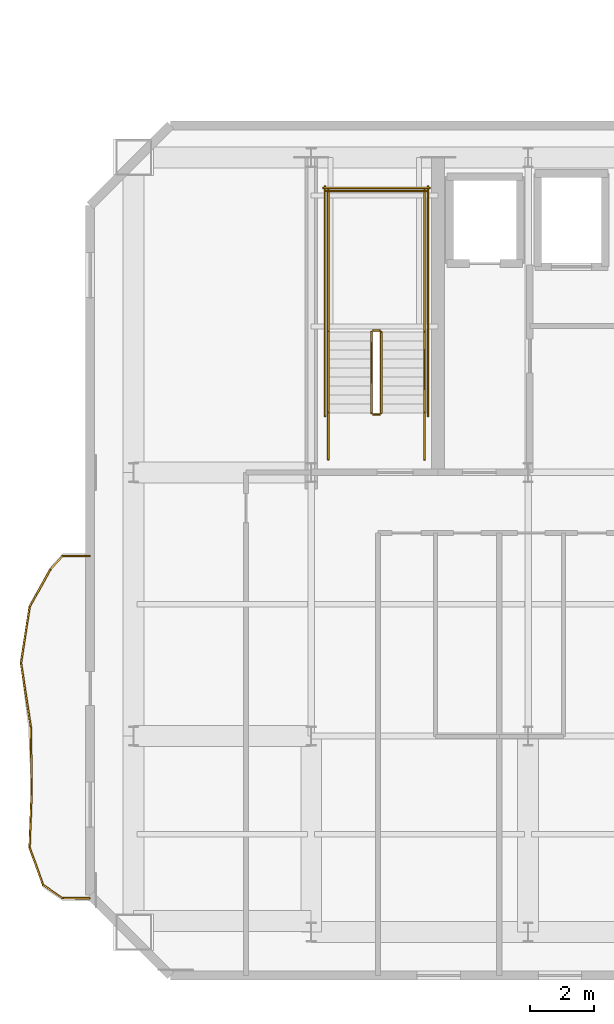
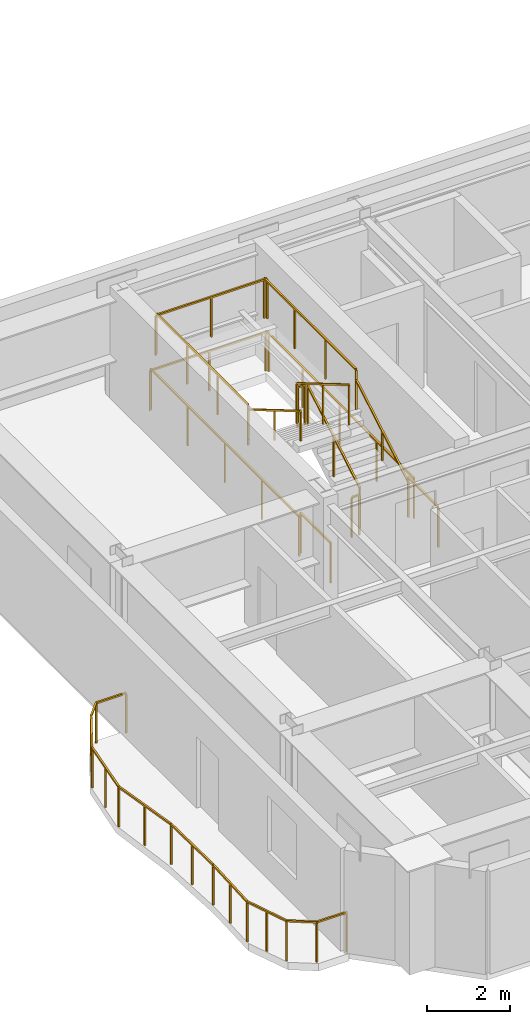
# One storey, part 13 of 16: 24 railings.
"""IFC4 building model written with IfcOpenShell, lengths in metres."""

import ifcopenshell
import ifcopenshell.guid

model = None  # the IFC model being written
_history = None  # IfcOwnerHistory: only IFC2X3 demands one
_inside = {}  # id of a spatial element -> (the spatial element, [elements in it])
_under = {}  # id of a project, library or spatial element -> (it, [spatial elements below it])
_declared = {}  # id of a project -> (the project, [libraries it declares])
_typed = {}  # id of a type object -> (the type object, [elements of that type])
_made_of = {}  # id of a material, layer set ... -> (it, [elements and type objects made of it])


def new_model(schema):
    """Start an empty IFC model of exactly this schema.

    Asked for "IFC4X3", IfcOpenShell would pick the latest addendum, in which some entities
    have other attributes; the version numbers below select the first issue.
    IFC2X3 requires an IfcOwnerHistory on every rooted entity: one is made here for all.
    """
    global model, _history
    if schema == "IFC4X3":
        model = ifcopenshell.file(schema_version=(4, 3, 0, 0))
    else:
        model = ifcopenshell.file(schema=schema)
    _inside.clear()
    _under.clear()
    _declared.clear()
    _typed.clear()
    _made_of.clear()
    _history = None
    if model.schema == "IFC2X3":
        org = make("IfcOrganization", Name="unknown")
        user = make(
            "IfcPersonAndOrganization",
            ThePerson=make("IfcPerson", FamilyName="unknown"),
            TheOrganization=org,
        )
        app = make(
            "IfcApplication",
            ApplicationDeveloper=org,
            Version="unknown",
            ApplicationFullName="unknown",
            ApplicationIdentifier="unknown",
        )
        _history = make(
            "IfcOwnerHistory",
            OwningUser=user,
            OwningApplication=app,
            ChangeAction="ADDED",
            CreationDate=0,
        )
    return model


def make(cls, **values):
    """One entity of the class cls with the attributes given. An attribute that is None is left unset."""
    return model.create_entity(
        cls, **{name: value for name, value in values.items() if value is not None}
    )


def rooted(cls, **values):
    """An entity with a GlobalId (a new one), such as an element, a storey or a relation."""
    return make(cls, GlobalId=ifcopenshell.guid.new(), OwnerHistory=_history, **values)


def si_unit(unit_type, name, prefix=None):
    """IfcSIUnit, for example si_unit("LENGTHUNIT", "METRE", prefix="MILLI")."""
    return make("IfcSIUnit", UnitType=unit_type, Prefix=prefix, Name=name)


def assignment(units):
    """IfcUnitAssignment: the units of a project."""
    return None if units is None else make("IfcUnitAssignment", Units=units)


def point(xyz):
    """IfcCartesianPoint."""
    return None if xyz is None else make("IfcCartesianPoint", Coordinates=xyz)


def direction(xyz):
    """IfcDirection."""
    return None if xyz is None else make("IfcDirection", DirectionRatios=xyz)


def frame(location, z_axis=None, x_axis=None):
    """IfcAxis2Placement3D, a coordinate frame: its origin and axes. An axis left out is left unset."""
    return make(
        "IfcAxis2Placement3D",
        Location=point(location),
        Axis=direction(z_axis),
        RefDirection=direction(x_axis),
    )


def frame_2d(location, x_axis=None):
    """IfcAxis2Placement2D, a coordinate frame in the plane: its origin and x axis."""
    return make(
        "IfcAxis2Placement2D", Location=point(location), RefDirection=direction(x_axis)
    )


def origin():
    """The frame at (0, 0, 0) with its axes left unset."""
    return frame((0.0, 0.0, 0.0))


def origin_2d():
    """The frame at (0, 0) in the plane with its x axis left unset."""
    return frame_2d((0.0, 0.0))


def place(relative_to, where):
    """IfcLocalPlacement: puts the frame where relative to a parent placement (None: the world)."""
    return make(
        "IfcLocalPlacement", PlacementRelTo=relative_to, RelativePlacement=where
    )


def context(
    kind, dimensions, precision=None, world=None, true_north=None, identifier=None
):
    """IfcGeometricRepresentationContext, for example the 3D "Model" context."""
    return make(
        "IfcGeometricRepresentationContext",
        ContextIdentifier=identifier,
        ContextType=kind,
        CoordinateSpaceDimension=dimensions,
        Precision=precision,
        WorldCoordinateSystem=world,
        TrueNorth=true_north,
    )


def subcontext(parent, identifier, kind, view, scale=None):
    """IfcGeometricRepresentationSubContext, for example "Body" below "Model"."""
    return make(
        "IfcGeometricRepresentationSubContext",
        ContextIdentifier=identifier,
        ContextType=kind,
        ParentContext=parent,
        TargetScale=scale,
        TargetView=view,
    )


def project(units=None, contexts=None):
    """IfcProject with its units and contexts."""
    return rooted(
        "IfcProject",
        Name="project",
        RepresentationContexts=contexts,
        UnitsInContext=assignment(units),
    )


def spatial(cls, under=None, at=None, **own):
    """A site, building, storey or space (cls), placed at a placement, below another one or the project."""
    s = rooted(cls, ObjectPlacement=at, **own)
    if under is not None:
        _under.setdefault(under.id(), (under, []))[1].append(s)
    return s


def profile(cls, at=None, kind="AREA", **sizes):
    """A parametric profile (cls). Its sizes go by their IFC names, for example OverallWidth=200.0."""
    return make(cls, ProfileType=kind, Position=at, **sizes)


def rectangle(**sizes):
    """IfcRectangleProfileDef."""
    return profile("IfcRectangleProfileDef", **sizes)


def extrude(swept, where, along, depth):
    """IfcExtrudedAreaSolid: the profile swept, set in the frame where, extruded along a direction by depth."""
    return make(
        "IfcExtrudedAreaSolid",
        SweptArea=swept,
        Position=where,
        ExtrudedDirection=direction(along),
        Depth=depth,
    )


def shape(context_of_items, identifier, shape_type, items):
    """IfcShapeRepresentation: the items that make up one representation, for example the "Body"."""
    return make(
        "IfcShapeRepresentation",
        ContextOfItems=context_of_items,
        RepresentationIdentifier=identifier,
        RepresentationType=shape_type,
        Items=items,
    )


def material(Name=None, Category=None):
    """IfcMaterial."""
    return make("IfcMaterial", Name=Name, Category=Category)


def made_of(thing, what):
    """Note that an element or type object is made of a material, layer set ...; save() writes the relation."""
    if what is not None:
        _made_of.setdefault(what.id(), (what, []))[1].append(thing)
    return thing


def type_object(cls, material=None, **own):
    """A type object (cls), such as IfcWallType, which elements share."""
    return made_of(rooted(cls, **own), material)


def element(
    cls,
    number,
    at=None,
    inside=None,
    cuts=None,
    type_object=None,
    material=None,
    context=None,
    identifier="Body",
    shape_type=None,
    held_by="IfcProductDefinitionShape",
    body=None,
    shapes=None,
    **own,
):
    """One element of the class cls, such as IfcWall. Its Tag is "e" and its number.

    at: its placement. inside: the storey or other place that contains it. cuts: it is an
    opening in that element (IfcRelVoidsElement). A single representation is given by context,
    identifier, shape_type and body (its items); several are given by shapes. held_by: the class
    of the entity that holds the representations. save() writes the other relations.
    """
    e = rooted(cls, Tag="e%d" % number, ObjectPlacement=at, **own)
    if body is not None:
        shapes = [shape(context, identifier, shape_type, body)]
    if shapes is not None:
        e.Representation = make(held_by, Representations=shapes)
    if inside is not None:
        _inside.setdefault(inside.id(), (inside, []))[1].append(e)
    if cuts is not None:
        rooted(
            "IfcRelVoidsElement", RelatingBuildingElement=cuts, RelatedOpeningElement=e
        )
    if type_object is not None:
        _typed.setdefault(type_object.id(), (type_object, []))[1].append(e)
    return made_of(e, material)


def aggregate(whole, parts):
    """IfcRelAggregates: a whole, such as a stair, and the parts it consists of."""
    return rooted("IfcRelAggregates", RelatingObject=whole, RelatedObjects=parts)


def save(model, path):
    """Write the relations noted so far, then the file.

    IfcRelAggregates (storeys below a building ...), IfcRelContainedInSpatialStructure (elements
    in a storey), IfcRelDefinesByType, IfcRelAssociatesMaterial and IfcRelDeclares: one each for
    every whole, place, type object, material and project.
    """
    for whole, parts in _under.values():
        aggregate(whole, parts)
    for where, things in _inside.values():
        rooted(
            "IfcRelContainedInSpatialStructure",
            RelatedElements=things,
            RelatingStructure=where,
        )
    for kind, things in _typed.values():
        rooted("IfcRelDefinesByType", RelatedObjects=things, RelatingType=kind)
    for what, things in _made_of.values():
        rooted("IfcRelAssociatesMaterial", RelatedObjects=things, RelatingMaterial=what)
    for by, libraries in _declared.values():
        rooted("IfcRelDeclares", RelatingContext=by, RelatedDefinitions=libraries)
    model.write(path)


model = new_model("IFC4")

# Units and contexts
model_context = context("Model", 3, precision=1e-05, world=origin(), true_north=direction((0.0, 1.0)))
body_context = subcontext(model_context, "Body", "Model", "MODEL_VIEW")
ifc_project = project(units=[si_unit("LENGTHUNIT", "METRE"), si_unit("AREAUNIT", "SQUARE_METRE"), si_unit("VOLUMEUNIT", "CUBIC_METRE"), si_unit("PLANEANGLEUNIT", "RADIAN"), si_unit("MASSUNIT", "GRAM", prefix="KILO")], contexts=[model_context])

# Site, building, storey
site_placement = place(None, origin())
site = spatial("IfcSite", under=ifc_project, at=site_placement, CompositionType="ELEMENT")
building_placement = place(site_placement, origin())
building = spatial("IfcBuilding", under=site, at=building_placement, Name="Haevon Station Towers", CompositionType="ELEMENT")
storey_placement = place(building_placement, frame((0.0, 0.0, 215.39990234375)))
storey = spatial("IfcBuildingStorey", under=building, at=storey_placement, Name="L59", CompositionType="ELEMENT", Elevation=215.39990234375)

# Railings
ifc_material = material(Name="Steel S355", Category="steel")
railing_type_1 = type_object("IfcRailingType", Name="GRD-EXT1200", PredefinedType="GUARDRAIL", material=ifc_material)
railing_1_placement = place(storey_placement, frame((17.1015625, 35.59716796875, 0.0)))
element("IfcRailing", 1, at=railing_1_placement, inside=storey, type_object=railing_type_1, Name="L59 Perimeter Guardrail 1", PredefinedType="GUARDRAIL", context=body_context, shape_type="SweptSolid", body=[
    extrude(rectangle(XDim=0.048095703125, YDim=0.048095703125, at=origin_2d()), frame((0.0, 0.0, 1.17578125), z_axis=(-0.999997283225, -0.002330995998, 0.0), x_axis=(0.002330995998, -0.999997283225, 0.0)), (0.0, 0.0, 1.0), 0.837890625),
    extrude(rectangle(XDim=0.0419921875, YDim=0.0419921875, at=origin_2d()), origin(), (0.0, 0.0, 1.0), 1.15185546875),
    extrude(rectangle(XDim=0.0419921875, YDim=0.0419921875, at=origin_2d()), frame((-0.837890625, -0.001953125, 0.0)), (0.0, 0.0, 1.0), 1.15185546875),
])
railing_2_placement = place(storey_placement, frame((16.263671875, 35.59521484375, 0.0)))
element("IfcRailing", 2, at=railing_2_placement, inside=storey, type_object=railing_type_1, Name="L59 Perimeter Guardrail 2", PredefinedType="GUARDRAIL", context=body_context, shape_type="SweptSolid", body=[
    extrude(rectangle(XDim=0.048095703125, YDim=0.048095703125, at=origin_2d()), frame((0.0, 0.0, 1.17578125), z_axis=(-0.676061194254, -0.736845480154, 0.0), x_axis=(0.736845480154, -0.676061194254, 0.0)), (0.0, 0.0, 1.0), 0.558349609375),
    extrude(rectangle(XDim=0.0419921875, YDim=0.0419921875, at=origin_2d()), origin(), (0.0, 0.0, 1.0), 1.15185546875),
    extrude(rectangle(XDim=0.0419921875, YDim=0.0419921875, at=origin_2d()), frame((-0.37744140625, -0.411376953125, 0.0)), (0.0, 0.0, 1.0), 1.15185546875),
])
railing_3_placement = place(storey_placement, frame((15.88623046875, 35.183837890625, 0.0)))
element("IfcRailing", 3, at=railing_3_placement, inside=storey, type_object=railing_type_1, Name="L59 Perimeter Guardrail 3", PredefinedType="GUARDRAIL", context=body_context, shape_type="SweptSolid", body=[
    extrude(rectangle(XDim=0.048095703125, YDim=0.048095703125, at=origin_2d()), frame((0.0, 0.0, 1.17578125), z_axis=(-0.483391346745, -0.875404367074, 0.0), x_axis=(0.875404367074, -0.483391346745, 0.0)), (0.0, 0.0, 1.0), 1.3359375),
    extrude(rectangle(XDim=0.0419921875, YDim=0.0419921875, at=origin_2d()), origin(), (0.0, 0.0, 1.0), 1.15185546875),
    extrude(rectangle(XDim=0.0419921875, YDim=0.0419921875, at=origin_2d()), frame((-0.32275390625, -0.584716796875, 0.0)), (0.0, 0.0, 1.0), 1.15185546875),
    extrude(rectangle(XDim=0.0419921875, YDim=0.0419921875, at=origin_2d()), frame((-0.645751953125, -1.16943359375, 0.0)), (0.0, 0.0, 1.0), 1.15185546875),
])
railing_4_placement = place(storey_placement, frame((15.240478515625, 34.014404296875, 0.0)))
element("IfcRailing", 4, at=railing_4_placement, inside=storey, type_object=railing_type_1, Name="L59 Perimeter Guardrail 4", PredefinedType="GUARDRAIL", context=body_context, shape_type="SweptSolid", body=[
    extrude(rectangle(XDim=0.048095703125, YDim=0.048095703125, at=origin_2d()), frame((0.0, 0.0, 1.17578125), z_axis=(-0.151454876704, -0.988464172503, 0.0), x_axis=(0.988464172503, -0.151454876704, 0.0)), (0.0, 0.0, 1.0), 1.7666015625),
    extrude(rectangle(XDim=0.0419921875, YDim=0.0419921875, at=origin_2d()), origin(), (0.0, 0.0, 1.0), 1.15185546875),
    extrude(rectangle(XDim=0.0419921875, YDim=0.0419921875, at=origin_2d()), frame((-0.1337890625, -0.873046875, 0.0)), (0.0, 0.0, 1.0), 1.15185546875),
    extrude(rectangle(XDim=0.0419921875, YDim=0.0419921875, at=origin_2d()), frame((-0.267578125, -1.746337890625, 0.0)), (0.0, 0.0, 1.0), 1.15185546875),
])
railing_5_placement = place(storey_placement, frame((14.972900390625, 32.26806640625, 0.0)))
element("IfcRailing", 5, at=railing_5_placement, inside=storey, type_object=railing_type_1, Name="L59 Perimeter Guardrail 5", PredefinedType="GUARDRAIL", context=body_context, shape_type="SweptSolid", body=[
    extrude(rectangle(XDim=0.048095703125, YDim=0.048095703125, at=origin_2d()), frame((0.0, 0.0, 1.17578125), z_axis=(0.152057184254, -0.988371697651, 0.0), x_axis=(0.988371697651, 0.152057184254, 0.0)), (0.0, 0.0, 1.0), 2.0166015625),
    extrude(rectangle(XDim=0.0419921875, YDim=0.0419921875, at=origin_2d()), origin(), (0.0, 0.0, 1.0), 1.15185546875),
    extrude(rectangle(XDim=0.0419921875, YDim=0.0419921875, at=origin_2d()), frame((0.1533203125, -0.99658203125, 0.0)), (0.0, 0.0, 1.0), 1.15185546875),
    extrude(rectangle(XDim=0.0419921875, YDim=0.0419921875, at=origin_2d()), frame((0.306640625, -1.9931640625, 0.0)), (0.0, 0.0, 1.0), 1.15185546875),
])
railing_6_placement = place(storey_placement, frame((15.279541015625, 30.27490234375, 0.0)))
element("IfcRailing", 6, at=railing_6_placement, inside=storey, type_object=railing_type_1, Name="L59 Perimeter Guardrail 6", PredefinedType="GUARDRAIL", context=body_context, shape_type="SweptSolid", body=[
    extrude(rectangle(XDim=0.048095703125, YDim=0.048095703125, at=origin_2d()), frame((0.0, 0.0, 1.17578125), z_axis=(0.012764395152, -0.99991853179, 0.0), x_axis=(0.99991853179, 0.012764395152, 0.0)), (0.0, 0.0, 1.0), 1.9892578125),
    extrude(rectangle(XDim=0.0419921875, YDim=0.0419921875, at=origin_2d()), origin(), (0.0, 0.0, 1.0), 1.15185546875),
    extrude(rectangle(XDim=0.0419921875, YDim=0.0419921875, at=origin_2d()), frame((0.0126953125, -0.99462890625, 0.0)), (0.0, 0.0, 1.0), 1.15185546875),
    extrude(rectangle(XDim=0.0419921875, YDim=0.0419921875, at=origin_2d()), frame((0.025390625, -1.989013671875, 0.0)), (0.0, 0.0, 1.0), 1.15185546875),
])
railing_7_placement = place(storey_placement, frame((15.304931640625, 28.285888671875, 0.0)))
element("IfcRailing", 7, at=railing_7_placement, inside=storey, type_object=railing_type_1, Name="L59 Perimeter Guardrail 7", PredefinedType="GUARDRAIL", context=body_context, shape_type="SweptSolid", body=[
    extrude(rectangle(XDim=0.048095703125, YDim=0.048095703125, at=origin_2d()), frame((0.0, 0.0, 1.17578125), z_axis=(-0.036800275781, -0.999322640443, 0.0), x_axis=(0.999322640443, -0.036800275781, 0.0)), (0.0, 0.0, 1.0), 1.75146484375),
    extrude(rectangle(XDim=0.0419921875, YDim=0.0419921875, at=origin_2d()), origin(), (0.0, 0.0, 1.0), 1.15185546875),
    extrude(rectangle(XDim=0.0419921875, YDim=0.0419921875, at=origin_2d()), frame((-0.0322265625, -0.875, 0.0)), (0.0, 0.0, 1.0), 1.15185546875),
    extrude(rectangle(XDim=0.0419921875, YDim=0.0419921875, at=origin_2d()), frame((-0.064453125, -1.750244140625, 0.0)), (0.0, 0.0, 1.0), 1.15185546875),
])
railing_8_placement = place(storey_placement, frame((15.240478515625, 26.53564453125, 0.0)))
element("IfcRailing", 8, at=railing_8_placement, inside=storey, type_object=railing_type_1, Name="L59 Perimeter Guardrail 8", PredefinedType="GUARDRAIL", context=body_context, shape_type="SweptSolid", body=[
    extrude(rectangle(XDim=0.048095703125, YDim=0.048095703125, at=origin_2d()), frame((0.0, 0.0, 1.17578125), z_axis=(0.337369310721, -0.941372374878, 0.0), x_axis=(0.941372374878, 0.337369310721, 0.0)), (0.0, 0.0, 1.0), 1.242431640625),
    extrude(rectangle(XDim=0.0419921875, YDim=0.0419921875, at=origin_2d()), origin(), (0.0, 0.0, 1.0), 1.15185546875),
    extrude(rectangle(XDim=0.0419921875, YDim=0.0419921875, at=origin_2d()), frame((0.20947265625, -0.5849609375, 0.0)), (0.0, 0.0, 1.0), 1.15185546875),
    extrude(rectangle(XDim=0.0419921875, YDim=0.0419921875, at=origin_2d()), frame((0.419189453125, -1.169677734375, 0.0)), (0.0, 0.0, 1.0), 1.15185546875),
])
railing_9_placement = place(storey_placement, frame((15.65966796875, 25.365966796875, 0.0)))
element("IfcRailing", 9, at=railing_9_placement, inside=storey, type_object=railing_type_1, Name="L59 Perimeter Guardrail 9", PredefinedType="GUARDRAIL", context=body_context, shape_type="SweptSolid", body=[
    extrude(rectangle(XDim=0.048095703125, YDim=0.048095703125, at=origin_2d()), frame((0.0, 0.0, 1.17578125), z_axis=(0.826665387993, -0.562693821091, 0.0), x_axis=(0.562693821091, 0.826665387993, 0.0)), (0.0, 0.0, 1.0), 0.730712890625),
    extrude(rectangle(XDim=0.0419921875, YDim=0.0419921875, at=origin_2d()), origin(), (0.0, 0.0, 1.0), 1.15185546875),
    extrude(rectangle(XDim=0.0419921875, YDim=0.0419921875, at=origin_2d()), frame((0.60400390625, -0.4111328125, 0.0)), (0.0, 0.0, 1.0), 1.15185546875),
])
railing_10_placement = place(storey_placement, frame((16.263671875, 24.954833984375, 0.0)))
element("IfcRailing", 10, at=railing_10_placement, inside=storey, type_object=railing_type_1, Name="L59 Perimeter Guardrail 10", PredefinedType="GUARDRAIL", context=body_context, shape_type="SweptSolid", body=[
    extrude(rectangle(XDim=0.048095703125, YDim=0.048095703125, at=origin_2d()), frame((0.0, 0.0, 1.17578125), z_axis=(0.999997283225, -0.002330995998, 0.0), x_axis=(0.002330995998, 0.999997283225, 0.0)), (0.0, 0.0, 1.0), 0.837890625),
    extrude(rectangle(XDim=0.0419921875, YDim=0.0419921875, at=origin_2d()), origin(), (0.0, 0.0, 1.0), 1.15185546875),
    extrude(rectangle(XDim=0.0419921875, YDim=0.0419921875, at=origin_2d()), frame((0.837890625, -0.001953125, 0.0)), (0.0, 0.0, 1.0), 1.15185546875),
])
railing_type_2 = type_object("IfcRailingType", Name="GRD-STR1200", PredefinedType="GUARDRAIL", material=ifc_material)
railing_11_placement = place(storey_placement, frame((26.179931640625, 40.050048828125, 0.1650390625)))
element("IfcRailing", 11, at=railing_11_placement, inside=storey, type_object=railing_type_2, Name="L59 ST1 Stair Guard 1", PredefinedType="GUARDRAIL", context=body_context, shape_type="SweptSolid", body=[
    extrude(rectangle(XDim=0.048095703125, YDim=0.048095703125, at=origin_2d()), frame((0.0, 0.0, 1.17578125), z_axis=(0.0, 0.86152411907, 0.507716645641), x_axis=(-1.0, 0.0, 0.0)), (0.0, 0.0, 1.0), 2.925048828125),
    extrude(rectangle(XDim=0.0419921875, YDim=0.0419921875, at=origin_2d()), origin(), (0.0, 0.0, 1.0), 1.15185546875),
    extrude(rectangle(XDim=0.0419921875, YDim=0.0419921875, at=origin_2d()), frame((0.0, 1.260009765625, 0.74267578125)), (0.0, 0.0, 1.0), 1.15185546875),
    extrude(rectangle(XDim=0.0419921875, YDim=0.0419921875, at=origin_2d()), frame((0.0, 2.52001953125, 1.485107421875)), (0.0, 0.0, 1.0), 1.15185546875),
])
railing_12_placement = place(storey_placement, frame((26.1298828125, 42.6201171875, 1.650146484375)))
element("IfcRailing", 12, at=railing_12_placement, inside=storey, type_object=railing_type_2, Name="L59 ST1 Stair Guard 2", PredefinedType="GUARDRAIL", context=body_context, shape_type="SweptSolid", body=[
    extrude(rectangle(XDim=0.048095703125, YDim=0.048095703125, at=origin_2d()), frame((0.0, 0.0, 1.17578125), z_axis=(-1.0, 0.0, 0.0), x_axis=(0.0, -1.0, 0.0)), (0.0, 0.0, 1.0), 0.199951171875),
    extrude(rectangle(XDim=0.0419921875, YDim=0.0419921875, at=origin_2d()), origin(), (0.0, 0.0, 1.0), 1.15185546875),
    extrude(rectangle(XDim=0.0419921875, YDim=0.0419921875, at=origin_2d()), frame((-0.199951171875, 0.0, 0.0)), (0.0, 0.0, 1.0), 1.15185546875),
])
for number, where, name in (
    (13, (27.530029296875, 42.570068359375, 1.650146484375), "L59 ST1 Stair Guard 3"),
    (14, (24.530029296875, 42.570068359375, 1.650146484375), "L59 ST1 Stair Guard 4"),
):
    element("IfcRailing", number, at=place(storey_placement, frame(where)), inside=storey, type_object=railing_type_2, Name=name, PredefinedType="GUARDRAIL", context=body_context, shape_type="SweptSolid", body=[
        extrude(rectangle(XDim=0.048095703125, YDim=0.048095703125, at=origin_2d()), frame((0.0, 0.0, 1.17578125), z_axis=(0.0, 1.0, 0.0), x_axis=(-1.0, 0.0, 0.0)), (0.0, 0.0, 1.0), 4.429931640625),
        extrude(rectangle(XDim=0.0419921875, YDim=0.0419921875, at=origin_2d()), origin(), (0.0, 0.0, 1.0), 1.15185546875),
        extrude(rectangle(XDim=0.0419921875, YDim=0.0419921875, at=origin_2d()), frame((0.0, 1.4765625, 0.0)), (0.0, 0.0, 1.0), 1.15185546875),
        extrude(rectangle(XDim=0.0419921875, YDim=0.0419921875, at=origin_2d()), frame((0.0, 2.953369140625, 0.0)), (0.0, 0.0, 1.0), 1.15185546875),
        extrude(rectangle(XDim=0.0419921875, YDim=0.0419921875, at=origin_2d()), frame((0.0, 4.429931640625, 0.0)), (0.0, 0.0, 1.0), 1.15185546875),
    ])
railing_13_placement = place(storey_placement, frame((27.580078125, 46.949951171875, 1.650146484375)))
element("IfcRailing", 15, at=railing_13_placement, inside=storey, type_object=railing_type_2, Name="L59 ST1 Stair Guard 5", PredefinedType="GUARDRAIL", context=body_context, shape_type="SweptSolid", body=[
    extrude(rectangle(XDim=0.048095703125, YDim=0.048095703125, at=origin_2d()), frame((0.0, 0.0, 1.17578125), z_axis=(-1.0, 0.0, 0.0), x_axis=(0.0, -1.0, 0.0)), (0.0, 0.0, 1.0), 3.10009765625),
    extrude(rectangle(XDim=0.0419921875, YDim=0.0419921875, at=origin_2d()), origin(), (0.0, 0.0, 1.0), 1.15185546875),
    extrude(rectangle(XDim=0.0419921875, YDim=0.0419921875, at=origin_2d()), frame((-1.550048828125, 0.0, 0.0)), (0.0, 0.0, 1.0), 1.15185546875),
    extrude(rectangle(XDim=0.0419921875, YDim=0.0419921875, at=origin_2d()), frame((-3.10009765625, 0.0, 0.0)), (0.0, 0.0, 1.0), 1.15185546875),
])
railing_14_placement = place(storey_placement, frame((25.8798828125, 42.570068359375, 1.815185546875)))
element("IfcRailing", 16, at=railing_14_placement, inside=storey, type_object=railing_type_2, Name="L59 ST1 Stair Guard 6", PredefinedType="GUARDRAIL", context=body_context, shape_type="SweptSolid", body=[
    extrude(rectangle(XDim=0.048095703125, YDim=0.048095703125, at=origin_2d()), frame((0.0, 0.0, 1.17578125), z_axis=(0.0, -0.861560626758, 0.507654692109), x_axis=(1.0, 0.0, 0.0)), (0.0, 0.0, 1.0), 2.925048828125),
    extrude(rectangle(XDim=0.0419921875, YDim=0.0419921875, at=origin_2d()), origin(), (0.0, 0.0, 1.0), 1.15185546875),
    extrude(rectangle(XDim=0.0419921875, YDim=0.0419921875, at=origin_2d()), frame((0.0, -1.260009765625, 0.742431640625)), (0.0, 0.0, 1.0), 1.15185546875),
    extrude(rectangle(XDim=0.0419921875, YDim=0.0419921875, at=origin_2d()), frame((0.0, -2.52001953125, 1.48486328125)), (0.0, 0.0, 1.0), 1.15185546875),
])
railing_15_placement = place(storey_placement, frame((26.1298828125, 40.0, 0.0)))
element("IfcRailing", 17, at=railing_15_placement, inside=storey, type_object=railing_type_2, Name="L59 ST1 Stair Guard 7", PredefinedType="GUARDRAIL", context=body_context, shape_type="SweptSolid", body=[
    extrude(rectangle(XDim=0.048095703125, YDim=0.048095703125, at=origin_2d()), frame((0.0, 0.0, 1.17578125), z_axis=(-1.0, 0.0, 0.0), x_axis=(0.0, -1.0, 0.0)), (0.0, 0.0, 1.0), 0.199951171875),
    extrude(rectangle(XDim=0.0419921875, YDim=0.0419921875, at=origin_2d()), origin(), (0.0, 0.0, 1.0), 1.15185546875),
    extrude(rectangle(XDim=0.0419921875, YDim=0.0419921875, at=origin_2d()), frame((-0.199951171875, 0.0, 0.0)), (0.0, 0.0, 1.0), 1.15185546875),
])
for number, where, name in (
    (18, (27.530029296875, 38.60009765625, 0.0), "L59 ST1 Stair Guard 8"),
    (19, (24.530029296875, 38.60009765625, 0.0), "L59 ST1 Stair Guard 9"),
):
    element("IfcRailing", number, at=place(storey_placement, frame(where)), inside=storey, type_object=railing_type_2, Name=name, PredefinedType="GUARDRAIL", context=body_context, shape_type="SweptSolid", body=[
        extrude(rectangle(XDim=0.048095703125, YDim=0.048095703125, at=origin_2d()), frame((0.0, 0.0, 1.17578125), z_axis=(0.0, 1.0, 0.0), x_axis=(-1.0, 0.0, 0.0)), (0.0, 0.0, 1.0), 1.449951171875),
        extrude(rectangle(XDim=0.0419921875, YDim=0.0419921875, at=origin_2d()), origin(), (0.0, 0.0, 1.0), 1.15185546875),
        extrude(rectangle(XDim=0.0419921875, YDim=0.0419921875, at=origin_2d()), frame((0.0, 1.449951171875, 0.0)), (0.0, 0.0, 1.0), 1.15185546875),
    ])
for number, where, name in (
    (20, (27.6298828125, 39.949951171875, 0.0), "L59 ST1 Stair Guard 10"),
    (21, (24.429931640625, 39.949951171875, 0.0), "L59 ST1 Stair Guard 11"),
):
    element("IfcRailing", number, at=place(storey_placement, frame(where)), inside=storey, type_object=railing_type_2, Name=name, PredefinedType="GUARDRAIL", context=body_context, shape_type="SweptSolid", body=[
        extrude(rectangle(XDim=0.048095703125, YDim=0.048095703125, at=origin_2d()), frame((0.0, 0.0, 1.17578125), z_axis=(0.0, 1.0, 0.0), x_axis=(-1.0, 0.0, 0.0)), (0.0, 0.0, 1.0), 7.150146484375),
        extrude(rectangle(XDim=0.0419921875, YDim=0.0419921875, at=origin_2d()), origin(), (0.0, 0.0, 1.0), 1.15185546875),
        extrude(rectangle(XDim=0.0419921875, YDim=0.0419921875, at=origin_2d()), frame((0.0, 1.78759765625, 0.0)), (0.0, 0.0, 1.0), 1.15185546875),
        extrude(rectangle(XDim=0.0419921875, YDim=0.0419921875, at=origin_2d()), frame((0.0, 3.5751953125, 0.0)), (0.0, 0.0, 1.0), 1.15185546875),
        extrude(rectangle(XDim=0.0419921875, YDim=0.0419921875, at=origin_2d()), frame((0.0, 5.362548828125, 0.0)), (0.0, 0.0, 1.0), 1.15185546875),
        extrude(rectangle(XDim=0.0419921875, YDim=0.0419921875, at=origin_2d()), frame((0.0, 7.150146484375, 0.0)), (0.0, 0.0, 1.0), 1.15185546875),
    ])
railing_16_placement = place(storey_placement, frame((27.679931640625, 47.050048828125, 0.0)))
element("IfcRailing", 22, at=railing_16_placement, inside=storey, type_object=railing_type_2, Name="L59 ST1 Stair Guard 12", PredefinedType="GUARDRAIL", context=body_context, shape_type="SweptSolid", body=[
    extrude(rectangle(XDim=0.048095703125, YDim=0.048095703125, at=origin_2d()), frame((0.0, 0.0, 1.17578125), z_axis=(-1.0, 0.0, 0.0), x_axis=(0.0, -1.0, 0.0)), (0.0, 0.0, 1.0), 3.300048828125),
    extrude(rectangle(XDim=0.0419921875, YDim=0.0419921875, at=origin_2d()), origin(), (0.0, 0.0, 1.0), 1.15185546875),
    extrude(rectangle(XDim=0.0419921875, YDim=0.0419921875, at=origin_2d()), frame((-1.64990234375, 0.0, 0.0)), (0.0, 0.0, 1.0), 1.15185546875),
    extrude(rectangle(XDim=0.0419921875, YDim=0.0419921875, at=origin_2d()), frame((-3.300048828125, 0.0, 0.0)), (0.0, 0.0, 1.0), 1.15185546875),
])
railing_type_3 = type_object("IfcRailingType", Name="HND-STR900", PredefinedType="HANDRAIL", material=ifc_material)
railing_17_placement = place(storey_placement, frame((27.530029296875, 40.050048828125, 0.1650390625)))
element("IfcRailing", 23, at=railing_17_placement, inside=storey, type_object=railing_type_3, Name="L59 ST1 Stair Handrail 1", PredefinedType="HANDRAIL", context=body_context, shape_type="SweptSolid", body=[
    extrude(rectangle(XDim=0.048095703125, YDim=0.048095703125, at=origin_2d()), frame((0.0, 0.0, 0.8759765625), z_axis=(0.0, 0.86152411907, 0.507716645641), x_axis=(-1.0, 0.0, 0.0)), (0.0, 0.0, 1.0), 2.925048828125),
    extrude(rectangle(XDim=0.0419921875, YDim=0.0419921875, at=origin_2d()), origin(), (0.0, 0.0, 1.0), 0.851806640625),
    extrude(rectangle(XDim=0.0419921875, YDim=0.0419921875, at=origin_2d()), frame((0.0, 1.260009765625, 0.74267578125)), (0.0, 0.0, 1.0), 0.851806640625),
    extrude(rectangle(XDim=0.0419921875, YDim=0.0419921875, at=origin_2d()), frame((0.0, 2.52001953125, 1.485107421875)), (0.0, 0.0, 1.0), 0.851806640625),
])
railing_18_placement = place(storey_placement, frame((24.530029296875, 42.570068359375, 1.815185546875)))
element("IfcRailing", 24, at=railing_18_placement, inside=storey, type_object=railing_type_3, Name="L59 ST1 Stair Handrail 2", PredefinedType="HANDRAIL", context=body_context, shape_type="SweptSolid", body=[
    extrude(rectangle(XDim=0.048095703125, YDim=0.048095703125, at=origin_2d()), frame((0.0, 0.0, 0.8759765625), z_axis=(0.0, -0.861560626758, 0.507654692109), x_axis=(1.0, 0.0, 0.0)), (0.0, 0.0, 1.0), 2.925048828125),
    extrude(rectangle(XDim=0.0419921875, YDim=0.0419921875, at=origin_2d()), origin(), (0.0, 0.0, 1.0), 0.851806640625),
    extrude(rectangle(XDim=0.0419921875, YDim=0.0419921875, at=origin_2d()), frame((0.0, -1.260009765625, 0.742431640625)), (0.0, 0.0, 1.0), 0.851806640625),
    extrude(rectangle(XDim=0.0419921875, YDim=0.0419921875, at=origin_2d()), frame((0.0, -2.52001953125, 1.48486328125)), (0.0, 0.0, 1.0), 0.851806640625),
])

save(model, "model.ifc")
